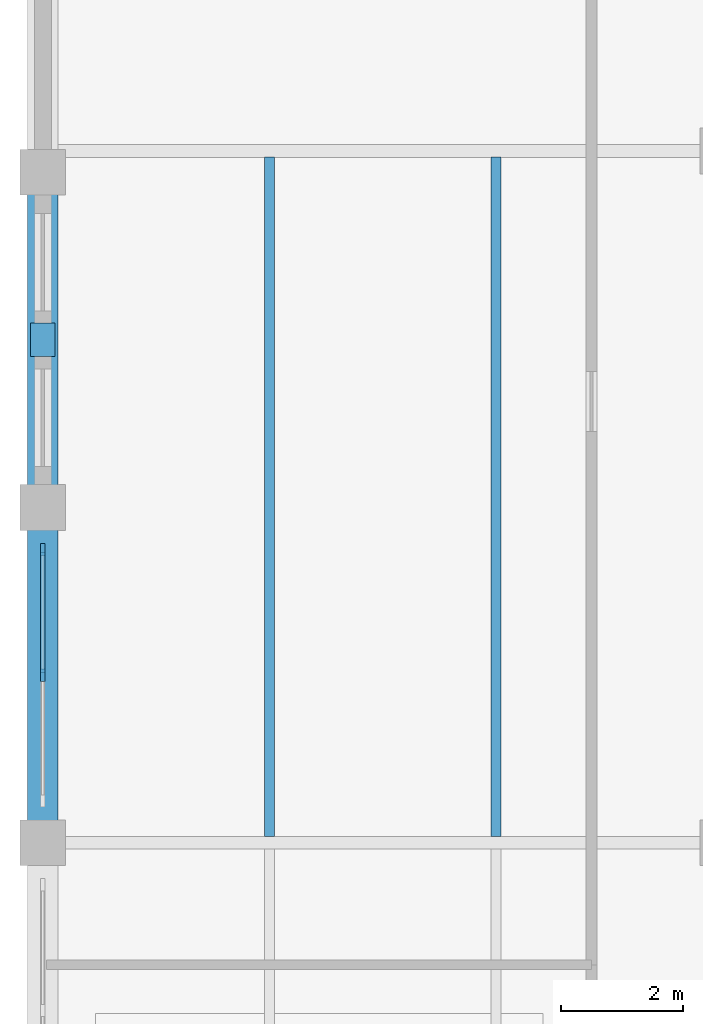
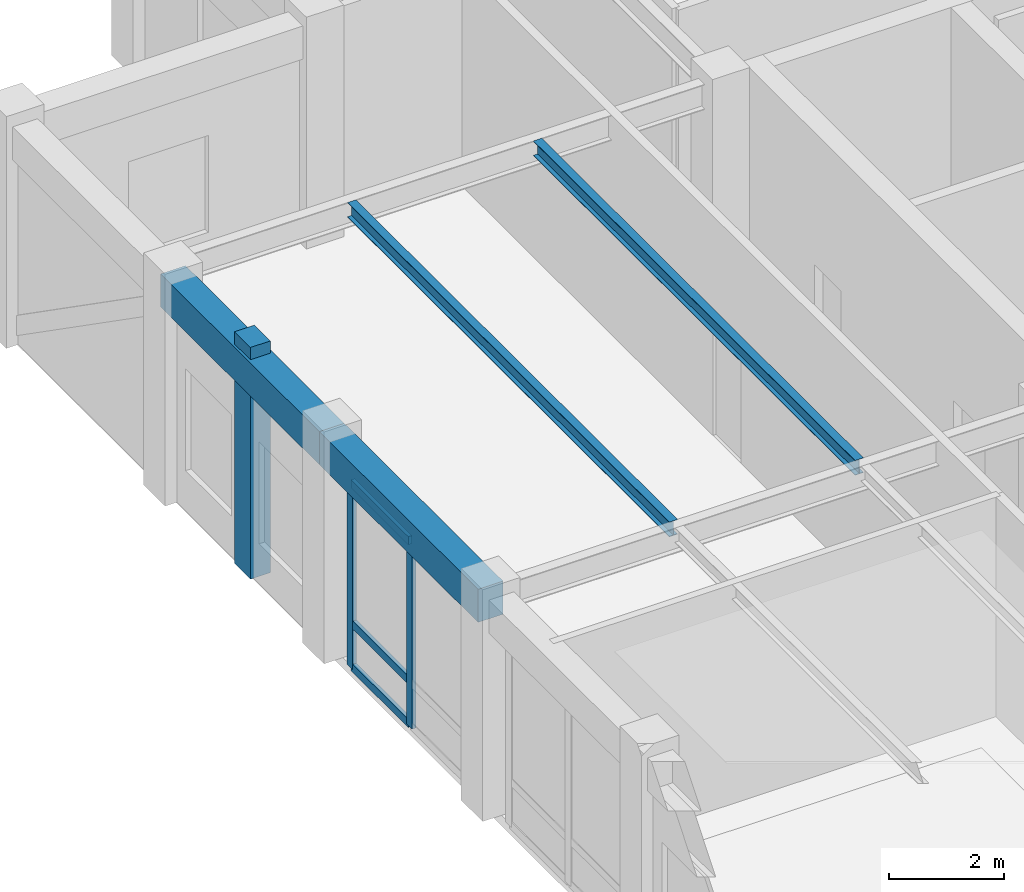
# One storey, part 3 of 13: 6 members, 4 beams, 1 element without a shape of its own.
"""IFC4 building model written with IfcOpenShell, lengths in metres."""

import ifcopenshell
import ifcopenshell.guid

model = None  # the IFC model being written
_history = None  # IfcOwnerHistory: only IFC2X3 demands one
_inside = {}  # id of a spatial element -> (the spatial element, [elements in it])
_under = {}  # id of a project, library or spatial element -> (it, [spatial elements below it])
_declared = {}  # id of a project -> (the project, [libraries it declares])
_typed = {}  # id of a type object -> (the type object, [elements of that type])
_made_of = {}  # id of a material, layer set ... -> (it, [elements and type objects made of it])


def new_model(schema):
    """Start an empty IFC model of exactly this schema.

    Asked for "IFC4X3", IfcOpenShell would pick the latest addendum, in which some entities
    have other attributes; the version numbers below select the first issue.
    IFC2X3 requires an IfcOwnerHistory on every rooted entity: one is made here for all.
    """
    global model, _history
    if schema == "IFC4X3":
        model = ifcopenshell.file(schema_version=(4, 3, 0, 0))
    else:
        model = ifcopenshell.file(schema=schema)
    _inside.clear()
    _under.clear()
    _declared.clear()
    _typed.clear()
    _made_of.clear()
    _history = None
    if model.schema == "IFC2X3":
        org = make("IfcOrganization", Name="unknown")
        user = make(
            "IfcPersonAndOrganization",
            ThePerson=make("IfcPerson", FamilyName="unknown"),
            TheOrganization=org,
        )
        app = make(
            "IfcApplication",
            ApplicationDeveloper=org,
            Version="unknown",
            ApplicationFullName="unknown",
            ApplicationIdentifier="unknown",
        )
        _history = make(
            "IfcOwnerHistory",
            OwningUser=user,
            OwningApplication=app,
            ChangeAction="ADDED",
            CreationDate=0,
        )
    return model


def make(cls, **values):
    """One entity of the class cls with the attributes given. An attribute that is None is left unset."""
    return model.create_entity(
        cls, **{name: value for name, value in values.items() if value is not None}
    )


def rooted(cls, **values):
    """An entity with a GlobalId (a new one), such as an element, a storey or a relation."""
    return make(cls, GlobalId=ifcopenshell.guid.new(), OwnerHistory=_history, **values)


def si_unit(unit_type, name, prefix=None):
    """IfcSIUnit, for example si_unit("LENGTHUNIT", "METRE", prefix="MILLI")."""
    return make("IfcSIUnit", UnitType=unit_type, Prefix=prefix, Name=name)


def assignment(units):
    """IfcUnitAssignment: the units of a project."""
    return None if units is None else make("IfcUnitAssignment", Units=units)


def point(xyz):
    """IfcCartesianPoint."""
    return None if xyz is None else make("IfcCartesianPoint", Coordinates=xyz)


def direction(xyz):
    """IfcDirection."""
    return None if xyz is None else make("IfcDirection", DirectionRatios=xyz)


def frame(location, z_axis=None, x_axis=None):
    """IfcAxis2Placement3D, a coordinate frame: its origin and axes. An axis left out is left unset."""
    return make(
        "IfcAxis2Placement3D",
        Location=point(location),
        Axis=direction(z_axis),
        RefDirection=direction(x_axis),
    )


def frame_2d(location, x_axis=None):
    """IfcAxis2Placement2D, a coordinate frame in the plane: its origin and x axis."""
    return make(
        "IfcAxis2Placement2D", Location=point(location), RefDirection=direction(x_axis)
    )


def origin():
    """The frame at (0, 0, 0) with its axes left unset."""
    return frame((0.0, 0.0, 0.0))


def origin_2d():
    """The frame at (0, 0) in the plane with its x axis left unset."""
    return frame_2d((0.0, 0.0))


def place(relative_to, where):
    """IfcLocalPlacement: puts the frame where relative to a parent placement (None: the world)."""
    return make(
        "IfcLocalPlacement", PlacementRelTo=relative_to, RelativePlacement=where
    )


def context(
    kind, dimensions, precision=None, world=None, true_north=None, identifier=None
):
    """IfcGeometricRepresentationContext, for example the 3D "Model" context."""
    return make(
        "IfcGeometricRepresentationContext",
        ContextIdentifier=identifier,
        ContextType=kind,
        CoordinateSpaceDimension=dimensions,
        Precision=precision,
        WorldCoordinateSystem=world,
        TrueNorth=true_north,
    )


def subcontext(parent, identifier, kind, view, scale=None):
    """IfcGeometricRepresentationSubContext, for example "Body" below "Model"."""
    return make(
        "IfcGeometricRepresentationSubContext",
        ContextIdentifier=identifier,
        ContextType=kind,
        ParentContext=parent,
        TargetScale=scale,
        TargetView=view,
    )


def project(units=None, contexts=None):
    """IfcProject with its units and contexts."""
    return rooted(
        "IfcProject",
        Name="project",
        RepresentationContexts=contexts,
        UnitsInContext=assignment(units),
    )


def spatial(cls, under=None, at=None, **own):
    """A site, building, storey or space (cls), placed at a placement, below another one or the project."""
    s = rooted(cls, ObjectPlacement=at, **own)
    if under is not None:
        _under.setdefault(under.id(), (under, []))[1].append(s)
    return s


def profile(cls, at=None, kind="AREA", **sizes):
    """A parametric profile (cls). Its sizes go by their IFC names, for example OverallWidth=200.0."""
    return make(cls, ProfileType=kind, Position=at, **sizes)


def rectangle(**sizes):
    """IfcRectangleProfileDef."""
    return profile("IfcRectangleProfileDef", **sizes)


def i_section(**sizes):
    """IfcIShapeProfileDef."""
    return profile("IfcIShapeProfileDef", **sizes)


def extrude(swept, where, along, depth):
    """IfcExtrudedAreaSolid: the profile swept, set in the frame where, extruded along a direction by depth."""
    return make(
        "IfcExtrudedAreaSolid",
        SweptArea=swept,
        Position=where,
        ExtrudedDirection=direction(along),
        Depth=depth,
    )


def shape(context_of_items, identifier, shape_type, items):
    """IfcShapeRepresentation: the items that make up one representation, for example the "Body"."""
    return make(
        "IfcShapeRepresentation",
        ContextOfItems=context_of_items,
        RepresentationIdentifier=identifier,
        RepresentationType=shape_type,
        Items=items,
    )


def material(Name=None, Category=None):
    """IfcMaterial."""
    return make("IfcMaterial", Name=Name, Category=Category)


def layer(
    of_material, thickness, ventilated=None, Name=None, Category=None, Priority=None
):
    """IfcMaterialLayer: one layer of a wall or slab, of a material (None: an air gap)."""
    return make(
        "IfcMaterialLayer",
        Material=of_material,
        LayerThickness=thickness,
        IsVentilated=ventilated,
        Name=Name,
        Category=Category,
        Priority=Priority,
    )


def layer_set(layers, Name=None):
    """IfcMaterialLayerSet."""
    return make("IfcMaterialLayerSet", MaterialLayers=layers, LayerSetName=Name)


def material_profile(
    of_material, cross_section, Name=None, Category=None, Priority=None
):
    """IfcMaterialProfile: a cross section and its material."""
    return make(
        "IfcMaterialProfile",
        Name=Name,
        Material=of_material,
        Profile=cross_section,
        Priority=Priority,
        Category=Category,
    )


def profile_set(profiles, Name=None, composite=None):
    """IfcMaterialProfileSet."""
    return make(
        "IfcMaterialProfileSet",
        Name=Name,
        MaterialProfiles=profiles,
        CompositeProfile=composite,
    )


def made_of(thing, what):
    """Note that an element or type object is made of a material, layer set ...; save() writes the relation."""
    if what is not None:
        _made_of.setdefault(what.id(), (what, []))[1].append(thing)
    return thing


def type_object(cls, material=None, **own):
    """A type object (cls), such as IfcWallType, which elements share."""
    return made_of(rooted(cls, **own), material)


def element(
    cls,
    number,
    at=None,
    inside=None,
    cuts=None,
    type_object=None,
    material=None,
    context=None,
    identifier="Body",
    shape_type=None,
    held_by="IfcProductDefinitionShape",
    body=None,
    shapes=None,
    **own,
):
    """One element of the class cls, such as IfcWall. Its Tag is "e" and its number.

    at: its placement. inside: the storey or other place that contains it. cuts: it is an
    opening in that element (IfcRelVoidsElement). A single representation is given by context,
    identifier, shape_type and body (its items); several are given by shapes. held_by: the class
    of the entity that holds the representations. save() writes the other relations.
    """
    e = rooted(cls, Tag="e%d" % number, ObjectPlacement=at, **own)
    if body is not None:
        shapes = [shape(context, identifier, shape_type, body)]
    if shapes is not None:
        e.Representation = make(held_by, Representations=shapes)
    if inside is not None:
        _inside.setdefault(inside.id(), (inside, []))[1].append(e)
    if cuts is not None:
        rooted(
            "IfcRelVoidsElement", RelatingBuildingElement=cuts, RelatedOpeningElement=e
        )
    if type_object is not None:
        _typed.setdefault(type_object.id(), (type_object, []))[1].append(e)
    return made_of(e, material)


def aggregate(whole, parts):
    """IfcRelAggregates: a whole, such as a stair, and the parts it consists of."""
    return rooted("IfcRelAggregates", RelatingObject=whole, RelatedObjects=parts)


def save(model, path):
    """Write the relations noted so far, then the file.

    IfcRelAggregates (storeys below a building ...), IfcRelContainedInSpatialStructure (elements
    in a storey), IfcRelDefinesByType, IfcRelAssociatesMaterial and IfcRelDeclares: one each for
    every whole, place, type object, material and project.
    """
    for whole, parts in _under.values():
        aggregate(whole, parts)
    for where, things in _inside.values():
        rooted(
            "IfcRelContainedInSpatialStructure",
            RelatedElements=things,
            RelatingStructure=where,
        )
    for kind, things in _typed.values():
        rooted("IfcRelDefinesByType", RelatedObjects=things, RelatingType=kind)
    for what, things in _made_of.values():
        rooted("IfcRelAssociatesMaterial", RelatedObjects=things, RelatingMaterial=what)
    for by, libraries in _declared.values():
        rooted("IfcRelDeclares", RelatingContext=by, RelatedDefinitions=libraries)
    model.write(path)


model = new_model("IFC4")

# Units and contexts
model_context = context("Model", 3, precision=1e-05, world=origin(), true_north=direction((0.0, 1.0)))
body_context = subcontext(model_context, "Body", "Model", "MODEL_VIEW")
ifc_project = project(units=[si_unit("LENGTHUNIT", "METRE"), si_unit("AREAUNIT", "SQUARE_METRE"), si_unit("VOLUMEUNIT", "CUBIC_METRE"), si_unit("PLANEANGLEUNIT", "RADIAN"), si_unit("MASSUNIT", "GRAM", prefix="KILO")], contexts=[model_context])

# Site, building, storey
site_placement = place(None, origin())
site = spatial("IfcSite", under=ifc_project, at=site_placement, CompositionType="ELEMENT")
building_placement = place(site_placement, origin())
building = spatial("IfcBuilding", under=site, at=building_placement, Name="Nhamokura Convention Tower", CompositionType="ELEMENT")
storey_placement = place(building_placement, frame((0.0, 0.0, 308.35009765625)))
storey = spatial("IfcBuildingStorey", under=building, at=storey_placement, Name="L76", CompositionType="ELEMENT", Elevation=308.35009765625)

# Member
ifc_material_1 = material(Name="Bronze-pigmented precast concrete C45/55", Category="concrete")
ifc_material_profile_1 = material_profile(ifc_material_1, rectangle(XDim=0.39990234375, YDim=0.550048828125, at=origin_2d()))
ifc_profile_set_1 = profile_set([ifc_material_profile_1], Name="Bronze-pigmented precast concrete C45/55")
member_type_1 = type_object("IfcMemberType", Name="BronzePilaster_550", PredefinedType="USERDEFINED", material=ifc_profile_set_1)
member_1_placement = place(storey_placement, frame((9.5, 40.25, 0.0), z_axis=(0.0, 0.0, 1.0), x_axis=(1.0, 0.0, 0.0)))
element("IfcMember", 1, at=member_1_placement, inside=storey, type_object=member_type_1, Name="L76 Engaged Frame Pilaster WEST 4", ObjectType="PILASTER_TRIM", PredefinedType="USERDEFINED", context=body_context, shape_type="SweptSolid", body=[
    extrude(rectangle(XDim=0.39990234375, YDim=0.550048828125, at=origin_2d()), origin(), (0.0, 0.0, 1.0), 4.89990234375),
])

# Curtain wall, members
ifc_material_2 = material(Name="Anodised bronze aluminium AA6063-T6", Category="aluminium")
ifc_layer = layer(ifc_material_2, 0.18994140625)
ifc_layer_set = layer_set([ifc_layer], Name="CWSystem_SkyLobby")
curtain_wall_type = type_object("IfcCurtainWallType", Name="CWSystem_SkyLobby", PredefinedType="NOTDEFINED", material=ifc_layer_set)
curtain_wall_placement = place(storey_placement, origin())
curtain_wall = element("IfcCurtainWall", 2, at=curtain_wall_placement, inside=storey, type_object=curtain_wall_type, Name="L76 Curtain Wall ENV-L76-CW-W3", PredefinedType="NOTDEFINED")
ifc_material_3 = material(Name="Anodised bronze aluminium AA6063-T6", Category="aluminium")
ifc_material_profile_2 = material_profile(ifc_material_3, rectangle(XDim=0.074951171875, YDim=0.199951171875, at=origin_2d()))
ifc_profile_set_2 = profile_set([ifc_material_profile_2], Name="Anodised bronze aluminium AA6063-T6")
member_type_2 = type_object("IfcMemberType", Name="CWMullion_2", PredefinedType="MULLION", material=ifc_profile_set_2)
member_2_placement = place(storey_placement, frame((9.5, 34.75, 0.0), z_axis=(0.0, 0.0, 1.0), x_axis=(-1.0, 0.0, 0.0)))
member_2 = element("IfcMember", 3, at=member_2_placement, type_object=member_type_2, Name="CW-06 mullion 2", PredefinedType="MULLION", context=body_context, shape_type="SweptSolid", body=[
    extrude(rectangle(XDim=0.074951171875, YDim=0.199951171875, at=origin_2d()), origin(), (0.0, 0.0, 1.0), 3.93994140625),
])
member_3_placement = place(storey_placement, frame((9.5, 36.8125, 0.0), z_axis=(0.0, 0.0, 1.0), x_axis=(-1.0, 0.0, 0.0)))
member_3 = element("IfcMember", 4, at=member_3_placement, type_object=member_type_2, Name="CW-06 mullion 3", PredefinedType="MULLION", context=body_context, shape_type="SweptSolid", body=[
    extrude(rectangle(XDim=0.074951171875, YDim=0.199951171875, at=origin_2d()), origin(), (0.0, 0.0, 1.0), 3.93994140625),
])
ifc_material_4 = material(Name="Anodised bronze aluminium AA6063-T6", Category="aluminium")
ifc_material_profile_3 = material_profile(ifc_material_4, rectangle(XDim=0.074951171875, YDim=0.169921875, at=origin_2d()))
ifc_profile_set_3 = profile_set([ifc_material_profile_3], Name="Anodised bronze aluminium AA6063-T6")
member_type_3 = type_object("IfcMemberType", Name="CWTransom_2", PredefinedType="USERDEFINED", material=ifc_profile_set_3)
member_4_placement = place(storey_placement, frame((9.5, 34.78759765625, 0.037353515625), z_axis=(0.0, 1.0, 0.0), x_axis=(-1.0, 0.0, 0.0)))
member_4 = element("IfcMember", 5, at=member_4_placement, type_object=member_type_3, Name="CW-06 transom 2.1", ObjectType="TRANSOM", PredefinedType="USERDEFINED", context=body_context, shape_type="SweptSolid", body=[
    extrude(rectangle(XDim=0.074951171875, YDim=0.169921875, at=origin_2d()), origin(), (0.0, 0.0, 1.0), 1.9873046875),
])
member_5_placement = place(storey_placement, frame((9.5, 34.78759765625, 0.949951171875), z_axis=(0.0, 1.0, 0.0), x_axis=(-1.0, 0.0, 0.0)))
member_5 = element("IfcMember", 6, at=member_5_placement, type_object=member_type_3, Name="CW-06 transom 2.2", ObjectType="TRANSOM", PredefinedType="USERDEFINED", context=body_context, shape_type="SweptSolid", body=[
    extrude(rectangle(XDim=0.074951171875, YDim=0.169921875, at=origin_2d()), origin(), (0.0, 0.0, 1.0), 1.9873046875),
])
member_6_placement = place(storey_placement, frame((9.5, 34.78759765625, 3.90234375), z_axis=(0.0, 1.0, 0.0), x_axis=(-1.0, 0.0, 0.0)))
member_6 = element("IfcMember", 7, at=member_6_placement, type_object=member_type_3, Name="CW-06 transom 2.3", ObjectType="TRANSOM", PredefinedType="USERDEFINED", context=body_context, shape_type="SweptSolid", body=[
    extrude(rectangle(XDim=0.074951171875, YDim=0.169921875, at=origin_2d()), origin(), (0.0, 0.0, 1.0), 1.9873046875),
])
aggregate(curtain_wall, [member_2, member_3, member_4, member_5, member_6])

# Beams
ifc_material_5 = material(Name="Steel ASTM A992 Gr 50", Category="steel")
ifc_material_profile_4 = material_profile(ifc_material_5, i_section(OverallWidth=0.166015625, OverallDepth=0.31298828125, WebThickness=0.006591796875, FlangeThickness=0.01123046875, at=origin_2d()))
ifc_profile_set_4 = profile_set([ifc_material_profile_4], Name="Steel ASTM A992 Gr 50")
beam_type_1 = type_object("IfcBeamType", Name="FloorJoist_W310X45", PredefinedType="JOIST", material=ifc_profile_set_4)
for number, where, z_axis, x_axis, name in (
    (8, (13.216796875, 32.1025390625, 4.4833984375), (0.0, 1.0, 0.0), (-1.0, 0.0, 0.0), "L76 Composite Floor Joist W1B"),
    (9, (16.933349609375, 32.1025390625, 4.4833984375), (0.0, 1.0, 0.0), (-1.0, 0.0, 0.0), "L76 Composite Floor Joist W2B"),
):
    element("IfcBeam", number, at=place(storey_placement, frame(where, z_axis=z_axis, x_axis=x_axis)), inside=storey, type_object=beam_type_1, Name=name, PredefinedType="JOIST", context=body_context, shape_type="SweptSolid", body=[
        extrude(i_section(OverallWidth=0.166015625, OverallDepth=0.31298828125, WebThickness=0.006591796875, FlangeThickness=0.01123046875, at=origin_2d()), origin(), (0.0, 0.0, 1.0), 11.14501953125),
    ])
ifc_material_6 = material(Name="Concrete C50/60", Category="concrete")
ifc_material_profile_5 = material_profile(ifc_material_6, rectangle(XDim=0.5, YDim=0.699951171875, at=origin_2d()))
ifc_profile_set_5 = profile_set([ifc_material_profile_5], Name="Concrete C50/60")
beam_type_2 = type_object("IfcBeamType", Name="TubeSpandrel_700", PredefinedType="SPANDREL", material=ifc_profile_set_5)
for number, where, z_axis, x_axis, name in (
    (10, (9.5, 32.0, 4.289794921875), (0.0, 1.0, 0.0), (-1.0, 0.0, 0.0), "L76 Perimeter Spandrel WEST 4"),
    (11, (9.5, 37.5, 4.289794921875), (0.0, 1.0, 0.0), (-1.0, 0.0, 0.0), "L76 Perimeter Spandrel WEST 5"),
):
    element("IfcBeam", number, at=place(storey_placement, frame(where, z_axis=z_axis, x_axis=x_axis)), inside=storey, type_object=beam_type_2, Name=name, PredefinedType="SPANDREL", context=body_context, shape_type="SweptSolid", body=[
        extrude(rectangle(XDim=0.5, YDim=0.699951171875, at=origin_2d()), origin(), (0.0, 0.0, 1.0), 5.5),
    ])

save(model, "model.ifc")
